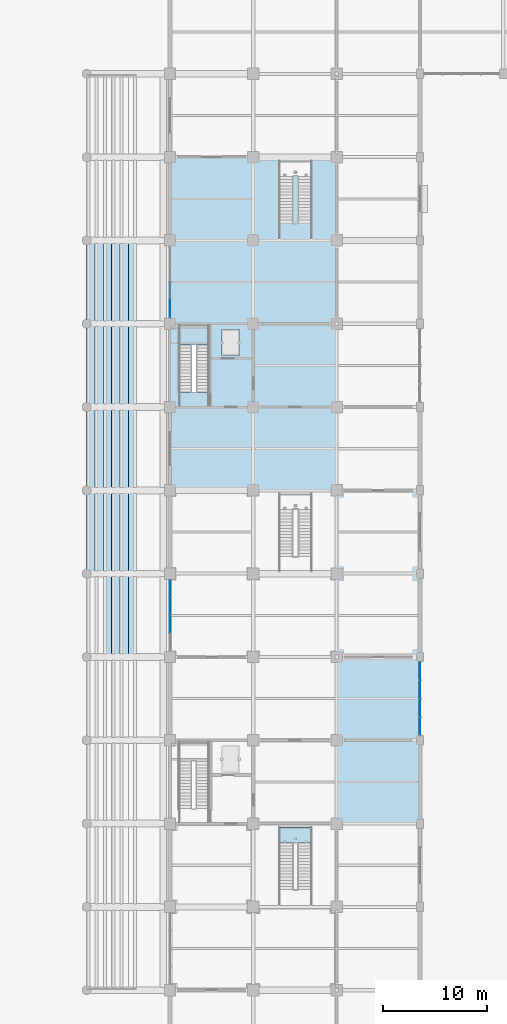
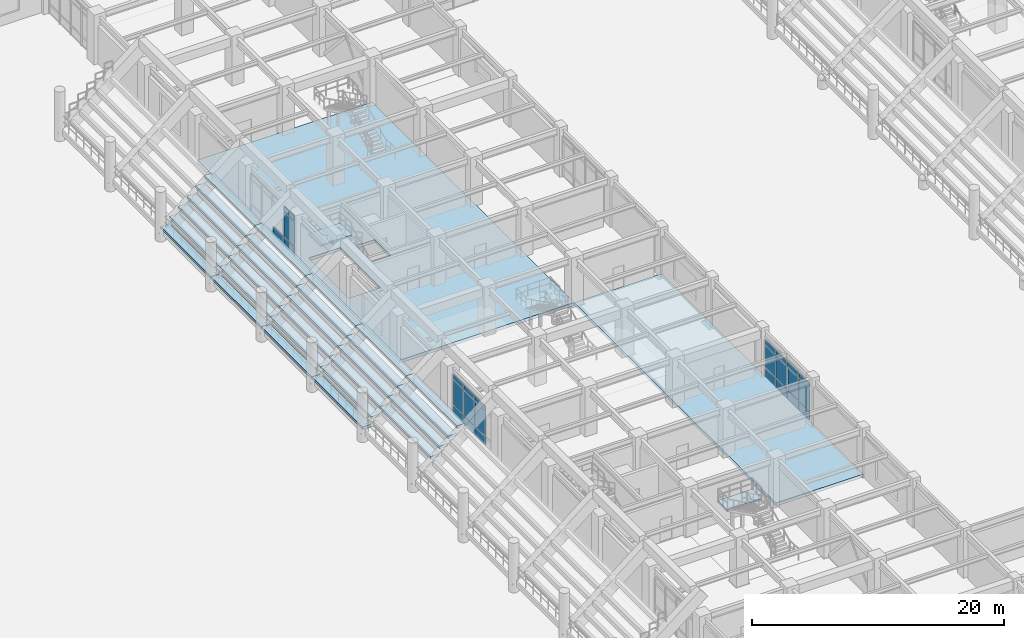
# One storey, part 64 of 125: 32 slabs, 25 plates, 5 elements without a shape of their own.
"""IFC4 building model written with IfcOpenShell, lengths in metres."""

from ifc_helpers import new_model, si_unit, direction, frame, origin, origin_2d, place, context, subcontext, project, spatial, polyline, rectangle, outline, extrude, material, layer, layer_set, type_object, element, aggregate, save


model = new_model("IFC4")

# Units and contexts
model_context = context("Model", 3, precision=1e-05, world=origin(), true_north=direction((0.0, 1.0)))
body_context = subcontext(model_context, "Body", "Model", "MODEL_VIEW")
ifc_project = project(units=[si_unit("LENGTHUNIT", "METRE"), si_unit("AREAUNIT", "SQUARE_METRE"), si_unit("VOLUMEUNIT", "CUBIC_METRE"), si_unit("PLANEANGLEUNIT", "RADIAN"), si_unit("MASSUNIT", "GRAM", prefix="KILO")], contexts=[model_context])

# Site, building, storey
site_placement = place(None, origin())
site = spatial("IfcSite", under=ifc_project, at=site_placement, CompositionType="ELEMENT")
building_placement = place(site_placement, origin())
building = spatial("IfcBuilding", under=site, at=building_placement, Name="Haebicheon Civic Stadium", CompositionType="ELEMENT")
storey_placement = place(building_placement, origin())
storey = spatial("IfcBuildingStorey", under=building, at=storey_placement, Name="L01", CompositionType="ELEMENT", Elevation=0.0)

# Curtain wall, plates
ifc_material_1 = material(Name="Anodised aluminium and laminated glass", Category="aluminium")
ifc_layer_1 = layer(ifc_material_1, 0.179931640625, Name="Anodised aluminium and laminated glass")
ifc_layer_set_1 = layer_set([ifc_layer_1], Name="Anodised aluminium and laminated glass")
curtain_wall_type_1 = type_object("IfcCurtainWallType", Name="CW-6900x3910", PredefinedType="NOTDEFINED", material=ifc_layer_set_1)
curtain_wall_1_placement = place(storey_placement, origin())
curtain_wall_1 = element("IfcCurtainWall", 1, at=curtain_wall_1_placement, inside=storey, type_object=curtain_wall_type_1, material=ifc_layer_set_1, Name="L01 unitised curtain wall 014", PredefinedType="NOTDEFINED")
ifc_material_2 = material(Name="Double low-e laminated glass", Category="glass")
ifc_layer_2 = layer(ifc_material_2, 0.028076171875, Name="Double low-e laminated glass")
ifc_layer_set_2 = layer_set([ifc_layer_2], Name="Double low-e laminated glass")
plate_type_1 = type_object("IfcPlateType", Name="CWP-GLZ-28", PredefinedType="CURTAIN_PANEL", material=ifc_layer_set_2)
plate_1_placement = place(storey_placement, frame((144.0, 83.137939453125, 0.93994140625), z_axis=(0.0, 0.0, 1.0), x_axis=(0.0, 1.0, 0.0)))
plate_1 = element("IfcPlate", 2, at=plate_1_placement, type_object=plate_type_1, material=ifc_layer_set_2, Name="CW-L01-014 vision panel 2.2", PredefinedType="CURTAIN_PANEL", context=body_context, shape_type="SweptSolid", body=[
    extrude(rectangle(XDim=1.64501953125, YDim=0.028076171875, at=origin_2d()), origin(), (0.0, 0.0, 1.0), 2.3798828125),
])
plate_2_placement = place(storey_placement, frame((144.0, 84.862060546875, 0.93994140625), z_axis=(0.0, 0.0, 1.0), x_axis=(0.0, 1.0, 0.0)))
plate_2 = element("IfcPlate", 3, at=plate_2_placement, type_object=plate_type_1, material=ifc_layer_set_2, Name="CW-L01-014 vision panel 3.2", PredefinedType="CURTAIN_PANEL", context=body_context, shape_type="SweptSolid", body=[
    extrude(rectangle(XDim=1.64501953125, YDim=0.028076171875, at=origin_2d()), origin(), (0.0, 0.0, 1.0), 2.3798828125),
])
plate_3_placement = place(storey_placement, frame((144.0, 86.568115234375, 0.93994140625), z_axis=(0.0, 0.0, 1.0), x_axis=(0.0, 1.0, 0.0)))
plate_3 = element("IfcPlate", 4, at=plate_3_placement, type_object=plate_type_1, material=ifc_layer_set_2, Name="CW-L01-014 vision panel 4.2", PredefinedType="CURTAIN_PANEL", context=body_context, shape_type="SweptSolid", body=[
    extrude(rectangle(XDim=1.60498046875, YDim=0.028076171875, at=origin_2d()), origin(), (0.0, 0.0, 1.0), 2.3798828125),
])

# Curtain wall, plate
curtain_wall_2_placement = place(storey_placement, origin())
curtain_wall_2 = element("IfcCurtainWall", 5, at=curtain_wall_2_placement, inside=storey, type_object=curtain_wall_type_1, material=ifc_layer_set_1, Name="L01 unitised curtain wall 015", PredefinedType="NOTDEFINED")
plate_4_placement = place(storey_placement, frame((144.0, 113.431884765625, 0.93994140625), z_axis=(0.0, 0.0, 1.0), x_axis=(0.0, 1.0, 0.0)))
plate_4 = element("IfcPlate", 6, at=plate_4_placement, type_object=plate_type_1, material=ifc_layer_set_2, Name="CW-L01-015 vision panel 1.2", PredefinedType="CURTAIN_PANEL", context=body_context, shape_type="SweptSolid", body=[
    extrude(rectangle(XDim=1.60498046875, YDim=0.028076171875, at=origin_2d()), origin(), (0.0, 0.0, 1.0), 2.3798828125),
])

# Curtain wall, plates
ifc_material_3 = material(Name="Anodised aluminium and laminated glass", Category="aluminium")
ifc_layer_3 = layer(ifc_material_3, 0.179931640625, Name="Anodised aluminium and laminated glass")
ifc_layer_set_3 = layer_set([ifc_layer_3], Name="Anodised aluminium and laminated glass")
curtain_wall_type_2 = type_object("IfcCurtainWallType", Name="CW-7100x3660", PredefinedType="NOTDEFINED", material=ifc_layer_set_3)
curtain_wall_3_placement = place(storey_placement, origin())
curtain_wall_3 = element("IfcCurtainWall", 7, at=curtain_wall_3_placement, inside=storey, type_object=curtain_wall_type_2, material=ifc_layer_set_3, Name="L01 unitised curtain wall 018", PredefinedType="NOTDEFINED")
plate_5_placement = place(storey_placement, frame((168.0, 73.35791015625, 0.93994140625), z_axis=(0.0, 0.0, 1.0), x_axis=(0.0, 1.0, 0.0)))
plate_5 = element("IfcPlate", 8, at=plate_5_placement, type_object=plate_type_1, material=ifc_layer_set_2, Name="CW-L01-018 vision panel 1.2", PredefinedType="CURTAIN_PANEL", context=body_context, shape_type="SweptSolid", body=[
    extrude(rectangle(XDim=1.655029296875, YDim=0.028076171875, at=origin_2d()), origin(), (0.0, 0.0, 1.0), 2.1298828125),
])
plate_6_placement = place(storey_placement, frame((168.0, 75.112060546875, 0.93994140625), z_axis=(0.0, 0.0, 1.0), x_axis=(0.0, 1.0, 0.0)))
plate_6 = element("IfcPlate", 9, at=plate_6_placement, type_object=plate_type_1, material=ifc_layer_set_2, Name="CW-L01-018 vision panel 2.2", PredefinedType="CURTAIN_PANEL", context=body_context, shape_type="SweptSolid", body=[
    extrude(rectangle(XDim=1.695068359375, YDim=0.028076171875, at=origin_2d()), origin(), (0.0, 0.0, 1.0), 2.1298828125),
])
plate_7_placement = place(storey_placement, frame((168.0, 76.887939453125, 0.93994140625), z_axis=(0.0, 0.0, 1.0), x_axis=(0.0, 1.0, 0.0)))
plate_7 = element("IfcPlate", 10, at=plate_7_placement, type_object=plate_type_1, material=ifc_layer_set_2, Name="CW-L01-018 vision panel 3.2", PredefinedType="CURTAIN_PANEL", context=body_context, shape_type="SweptSolid", body=[
    extrude(rectangle(XDim=1.695068359375, YDim=0.028076171875, at=origin_2d()), origin(), (0.0, 0.0, 1.0), 2.1298828125),
])
plate_8_placement = place(storey_placement, frame((168.0, 78.64208984375, 0.93994140625), z_axis=(0.0, 0.0, 1.0), x_axis=(0.0, 1.0, 0.0)))
plate_8 = element("IfcPlate", 11, at=plate_8_placement, type_object=plate_type_1, material=ifc_layer_set_2, Name="CW-L01-018 vision panel 4.2", PredefinedType="CURTAIN_PANEL", context=body_context, shape_type="SweptSolid", body=[
    extrude(rectangle(XDim=1.655029296875, YDim=0.028076171875, at=origin_2d()), origin(), (0.0, 0.0, 1.0), 2.1298828125),
])

# Plate
ifc_material_4 = material(Name="Anodised aluminium 6063-T6", Category="aluminium")
ifc_layer_4 = layer(ifc_material_4, 0.0439453125, Name="Anodised aluminium 6063-T6")
ifc_layer_set_4 = layer_set([ifc_layer_4], Name="Anodised aluminium 6063-T6")
plate_type_2 = type_object("IfcPlateType", Name="CWP-SPD-44", PredefinedType="CURTAIN_PANEL", material=ifc_layer_set_4)
plate_9_placement = place(storey_placement, frame((144.0, 83.137939453125, 0.0400390625), z_axis=(0.0, 0.0, 1.0), x_axis=(0.0, 1.0, 0.0)))
plate_9 = element("IfcPlate", 12, at=plate_9_placement, type_object=plate_type_2, material=ifc_layer_set_4, Name="CW-L01-014 spandrel panel 2.1", PredefinedType="CURTAIN_PANEL", context=body_context, shape_type="SweptSolid", body=[
    extrude(rectangle(XDim=1.64501953125, YDim=0.0439453125, at=origin_2d()), origin(), (0.0, 0.0, 1.0), 0.820068359375),
])

plate_10_placement = place(storey_placement, frame((144.0, 83.137939453125, 3.39990234375), z_axis=(0.0, 0.0, 1.0), x_axis=(0.0, 1.0, 0.0)))
plate_10 = element("IfcPlate", 13, at=plate_10_placement, type_object=plate_type_2, material=ifc_layer_set_4, Name="CW-L01-014 spandrel panel 2.3", PredefinedType="CURTAIN_PANEL", context=body_context, shape_type="SweptSolid", body=[
    extrude(rectangle(XDim=1.64501953125, YDim=0.0439453125, at=origin_2d()), origin(), (0.0, 0.0, 1.0), 0.469970703125),
])

plate_11_placement = place(storey_placement, frame((144.0, 84.862060546875, 0.0400390625), z_axis=(0.0, 0.0, 1.0), x_axis=(0.0, 1.0, 0.0)))
plate_11 = element("IfcPlate", 14, at=plate_11_placement, type_object=plate_type_2, material=ifc_layer_set_4, Name="CW-L01-014 spandrel panel 3.1", PredefinedType="CURTAIN_PANEL", context=body_context, shape_type="SweptSolid", body=[
    extrude(rectangle(XDim=1.64501953125, YDim=0.0439453125, at=origin_2d()), origin(), (0.0, 0.0, 1.0), 0.820068359375),
])

plate_12_placement = place(storey_placement, frame((144.0, 84.862060546875, 3.39990234375), z_axis=(0.0, 0.0, 1.0), x_axis=(0.0, 1.0, 0.0)))
plate_12 = element("IfcPlate", 15, at=plate_12_placement, type_object=plate_type_2, material=ifc_layer_set_4, Name="CW-L01-014 spandrel panel 3.3", PredefinedType="CURTAIN_PANEL", context=body_context, shape_type="SweptSolid", body=[
    extrude(rectangle(XDim=1.64501953125, YDim=0.0439453125, at=origin_2d()), origin(), (0.0, 0.0, 1.0), 0.469970703125),
])

plate_13_placement = place(storey_placement, frame((144.0, 86.568115234375, 0.0400390625), z_axis=(0.0, 0.0, 1.0), x_axis=(0.0, 1.0, 0.0)))
plate_13 = element("IfcPlate", 16, at=plate_13_placement, type_object=plate_type_2, material=ifc_layer_set_4, Name="CW-L01-014 spandrel panel 4.1", PredefinedType="CURTAIN_PANEL", context=body_context, shape_type="SweptSolid", body=[
    extrude(rectangle(XDim=1.60498046875, YDim=0.0439453125, at=origin_2d()), origin(), (0.0, 0.0, 1.0), 0.820068359375),
])

plate_14_placement = place(storey_placement, frame((144.0, 86.568115234375, 3.39990234375), z_axis=(0.0, 0.0, 1.0), x_axis=(0.0, 1.0, 0.0)))
plate_14 = element("IfcPlate", 17, at=plate_14_placement, type_object=plate_type_2, material=ifc_layer_set_4, Name="CW-L01-014 spandrel panel 4.3", PredefinedType="CURTAIN_PANEL", context=body_context, shape_type="SweptSolid", body=[
    extrude(rectangle(XDim=1.60498046875, YDim=0.0439453125, at=origin_2d()), origin(), (0.0, 0.0, 1.0), 0.469970703125),
])

aggregate(curtain_wall_1, [plate_9, plate_1, plate_10, plate_11, plate_2, plate_12, plate_13, plate_3, plate_14])

plate_15_placement = place(storey_placement, frame((144.0, 113.431884765625, 0.0400390625), z_axis=(0.0, 0.0, 1.0), x_axis=(0.0, 1.0, 0.0)))
plate_15 = element("IfcPlate", 18, at=plate_15_placement, type_object=plate_type_2, material=ifc_layer_set_4, Name="CW-L01-015 spandrel panel 1.1", PredefinedType="CURTAIN_PANEL", context=body_context, shape_type="SweptSolid", body=[
    extrude(rectangle(XDim=1.60498046875, YDim=0.0439453125, at=origin_2d()), origin(), (0.0, 0.0, 1.0), 0.820068359375),
])

plate_16_placement = place(storey_placement, frame((144.0, 113.431884765625, 3.39990234375), z_axis=(0.0, 0.0, 1.0), x_axis=(0.0, 1.0, 0.0)))
plate_16 = element("IfcPlate", 19, at=plate_16_placement, type_object=plate_type_2, material=ifc_layer_set_4, Name="CW-L01-015 spandrel panel 1.3", PredefinedType="CURTAIN_PANEL", context=body_context, shape_type="SweptSolid", body=[
    extrude(rectangle(XDim=1.60498046875, YDim=0.0439453125, at=origin_2d()), origin(), (0.0, 0.0, 1.0), 0.469970703125),
])

plate_17_placement = place(storey_placement, frame((144.0, 115.137939453125, 0.0400390625), z_axis=(0.0, 0.0, 1.0), x_axis=(0.0, 1.0, 0.0)))
plate_17 = element("IfcPlate", 20, at=plate_17_placement, type_object=plate_type_2, material=ifc_layer_set_4, Name="CW-L01-015 spandrel panel 2.1", PredefinedType="CURTAIN_PANEL", context=body_context, shape_type="SweptSolid", body=[
    extrude(rectangle(XDim=1.64501953125, YDim=0.0439453125, at=origin_2d()), origin(), (0.0, 0.0, 1.0), 0.820068359375),
])

aggregate(curtain_wall_2, [plate_15, plate_4, plate_16, plate_17])

plate_18_placement = place(storey_placement, frame((168.0, 73.35791015625, 0.0400390625), z_axis=(0.0, 0.0, 1.0), x_axis=(0.0, 1.0, 0.0)))
plate_18 = element("IfcPlate", 21, at=plate_18_placement, type_object=plate_type_2, material=ifc_layer_set_4, Name="CW-L01-018 spandrel panel 1.1", PredefinedType="CURTAIN_PANEL", context=body_context, shape_type="SweptSolid", body=[
    extrude(rectangle(XDim=1.655029296875, YDim=0.0439453125, at=origin_2d()), origin(), (0.0, 0.0, 1.0), 0.820068359375),
])

plate_19_placement = place(storey_placement, frame((168.0, 73.35791015625, 3.14990234375), z_axis=(0.0, 0.0, 1.0), x_axis=(0.0, 1.0, 0.0)))
plate_19 = element("IfcPlate", 22, at=plate_19_placement, type_object=plate_type_2, material=ifc_layer_set_4, Name="CW-L01-018 spandrel panel 1.3", PredefinedType="CURTAIN_PANEL", context=body_context, shape_type="SweptSolid", body=[
    extrude(rectangle(XDim=1.655029296875, YDim=0.0439453125, at=origin_2d()), origin(), (0.0, 0.0, 1.0), 0.469970703125),
])

plate_20_placement = place(storey_placement, frame((168.0, 75.112060546875, 0.0400390625), z_axis=(0.0, 0.0, 1.0), x_axis=(0.0, 1.0, 0.0)))
plate_20 = element("IfcPlate", 23, at=plate_20_placement, type_object=plate_type_2, material=ifc_layer_set_4, Name="CW-L01-018 spandrel panel 2.1", PredefinedType="CURTAIN_PANEL", context=body_context, shape_type="SweptSolid", body=[
    extrude(rectangle(XDim=1.695068359375, YDim=0.0439453125, at=origin_2d()), origin(), (0.0, 0.0, 1.0), 0.820068359375),
])

plate_21_placement = place(storey_placement, frame((168.0, 75.112060546875, 3.14990234375), z_axis=(0.0, 0.0, 1.0), x_axis=(0.0, 1.0, 0.0)))
plate_21 = element("IfcPlate", 24, at=plate_21_placement, type_object=plate_type_2, material=ifc_layer_set_4, Name="CW-L01-018 spandrel panel 2.3", PredefinedType="CURTAIN_PANEL", context=body_context, shape_type="SweptSolid", body=[
    extrude(rectangle(XDim=1.695068359375, YDim=0.0439453125, at=origin_2d()), origin(), (0.0, 0.0, 1.0), 0.469970703125),
])

plate_22_placement = place(storey_placement, frame((168.0, 76.887939453125, 0.0400390625), z_axis=(0.0, 0.0, 1.0), x_axis=(0.0, 1.0, 0.0)))
plate_22 = element("IfcPlate", 25, at=plate_22_placement, type_object=plate_type_2, material=ifc_layer_set_4, Name="CW-L01-018 spandrel panel 3.1", PredefinedType="CURTAIN_PANEL", context=body_context, shape_type="SweptSolid", body=[
    extrude(rectangle(XDim=1.695068359375, YDim=0.0439453125, at=origin_2d()), origin(), (0.0, 0.0, 1.0), 0.820068359375),
])

plate_23_placement = place(storey_placement, frame((168.0, 76.887939453125, 3.14990234375), z_axis=(0.0, 0.0, 1.0), x_axis=(0.0, 1.0, 0.0)))
plate_23 = element("IfcPlate", 26, at=plate_23_placement, type_object=plate_type_2, material=ifc_layer_set_4, Name="CW-L01-018 spandrel panel 3.3", PredefinedType="CURTAIN_PANEL", context=body_context, shape_type="SweptSolid", body=[
    extrude(rectangle(XDim=1.695068359375, YDim=0.0439453125, at=origin_2d()), origin(), (0.0, 0.0, 1.0), 0.469970703125),
])

plate_24_placement = place(storey_placement, frame((168.0, 78.64208984375, 0.0400390625), z_axis=(0.0, 0.0, 1.0), x_axis=(0.0, 1.0, 0.0)))
plate_24 = element("IfcPlate", 27, at=plate_24_placement, type_object=plate_type_2, material=ifc_layer_set_4, Name="CW-L01-018 spandrel panel 4.1", PredefinedType="CURTAIN_PANEL", context=body_context, shape_type="SweptSolid", body=[
    extrude(rectangle(XDim=1.655029296875, YDim=0.0439453125, at=origin_2d()), origin(), (0.0, 0.0, 1.0), 0.820068359375),
])

plate_25_placement = place(storey_placement, frame((168.0, 78.64208984375, 3.14990234375), z_axis=(0.0, 0.0, 1.0), x_axis=(0.0, 1.0, 0.0)))
plate_25 = element("IfcPlate", 28, at=plate_25_placement, type_object=plate_type_2, material=ifc_layer_set_4, Name="CW-L01-018 spandrel panel 4.3", PredefinedType="CURTAIN_PANEL", context=body_context, shape_type="SweptSolid", body=[
    extrude(rectangle(XDim=1.655029296875, YDim=0.0439453125, at=origin_2d()), origin(), (0.0, 0.0, 1.0), 0.469970703125),
])

aggregate(curtain_wall_3, [plate_18, plate_5, plate_19, plate_20, plate_6, plate_21, plate_22, plate_7, plate_23, plate_24, plate_8, plate_25])

# Slabs
ifc_material_5 = material(Name="Concrete C40/50", Category="concrete")
ifc_layer_5 = layer(ifc_material_5, 0.300048828125, Name="Concrete C40/50")
ifc_layer_set_5 = layer_set([ifc_layer_5], Name="Concrete C40/50")
slab_type_1 = type_object("IfcSlabType", Name="SLB-FLR-300", PredefinedType="FLOOR", material=ifc_layer_set_5)
slab_1_placement = place(storey_placement, frame((0.0, 0.0, -0.300048828125)))
element("IfcSlab", 29, at=slab_1_placement, inside=storey, type_object=slab_type_1, material=ifc_layer_set_5, Name="L01 V2 structural slab 10.1", PredefinedType="FLOOR", context=body_context, shape_type="SweptSolid", body=[
    extrude(outline(polyline([(144.0, 112.0), (144.0, 120.0), (144.0, 128.0), (152.0, 128.0), (160.0, 128.0), (160.0, 120.0), (160.0, 112.0), (160.0, 104.0), (160.0, 96.0), (152.0, 96.0), (144.0, 96.0), (144.0, 104.0), (144.0, 112.0)]), holes=[polyline([(144.840087890625, 105.4599609375), (147.739990234375, 105.4599609375), (147.739990234375, 111.840087890625), (144.840087890625, 111.840087890625), (144.840087890625, 105.4599609375)]), polyline([(148.969970703125, 108.929931640625), (150.669921875, 108.929931640625), (150.669921875, 111.429931640625), (148.969970703125, 111.429931640625), (148.969970703125, 108.929931640625)])]), origin(), (0.0, 0.0, 1.0), 0.300048828125),
])
slab_2_placement = place(storey_placement, frame((0.0, 0.0, -0.300048828125)))
element("IfcSlab", 30, at=slab_2_placement, inside=storey, type_object=slab_type_1, material=ifc_layer_set_5, Name="L01 V4 structural slab 6.1", PredefinedType="FLOOR", context=body_context, shape_type="SweptSolid", body=[
    extrude(outline(polyline([(160.0, 64.0), (160.0, 72.0), (160.0, 80.0), (160.0, 88.0), (160.0, 96.0), (168.0, 96.0), (168.0, 88.0), (168.0, 80.0), (168.0, 72.0), (168.0, 64.0), (160.0, 64.0)])), origin(), (0.0, 0.0, 1.0), 0.300048828125),
])

# Stair, slab
ifc_material_6 = material(Name="Concrete C40/50", Category="concrete")
stair_type_1 = type_object("IfcStairType", Name="STR-DL-W126-H48", PredefinedType="HALF_TURN_STAIR", material=ifc_material_6)
stair_1_placement = place(storey_placement, origin())
stair_1 = element("IfcStair", 31, at=stair_1_placement, inside=storey, type_object=stair_type_1, material=ifc_material_6, Name="L01 Escape stair ST-11", PredefinedType="HALF_TURN_STAIR")
ifc_material_7 = material(Name="Concrete C40/50", Category="concrete")
ifc_layer_6 = layer(ifc_material_7, 0.199951171875, Name="Concrete C40/50")
ifc_layer_set_6 = layer_set([ifc_layer_6], Name="Concrete C40/50")
slab_type_2 = type_object("IfcSlabType", Name="SLB-LND-200", PredefinedType="LANDING", material=ifc_layer_set_6)
slab_3_placement = place(storey_placement, frame((0.0, 0.0, 2.199951171875)))
slab_3 = element("IfcSlab", 32, at=slab_3_placement, type_object=slab_type_2, material=ifc_layer_set_6, Name="ST-11 landing 1", PredefinedType="LANDING", context=body_context, shape_type="SweptSolid", body=[
    extrude(outline(polyline([(147.739990234375, 109.949951171875), (147.739990234375, 111.840087890625), (144.840087890625, 111.840087890625), (144.840087890625, 109.949951171875), (147.739990234375, 109.949951171875)])), origin(), (0.0, 0.0, 1.0), 0.199951171875),
])
aggregate(stair_1, [slab_3])

ifc_material_8 = material(Name="Concrete C40/50", Category="concrete")
stair_type_2 = type_object("IfcStairType", Name="STR-DL-W140-H48", PredefinedType="HALF_TURN_STAIR", material=ifc_material_8)
stair_2_placement = place(storey_placement, origin())
stair_2 = element("IfcStair", 33, at=stair_2_placement, inside=storey, type_object=stair_type_2, material=ifc_material_8, Name="Vomitory stair VM-06 (L01)", PredefinedType="HALF_TURN_STAIR")
slab_4_placement = place(storey_placement, frame((0.0, 0.0, 2.199951171875)))
slab_4 = element("IfcSlab", 34, at=slab_4_placement, type_object=slab_type_2, material=ifc_layer_set_6, Name="VM-06 landing 1", PredefinedType="LANDING", context=body_context, shape_type="SweptSolid", body=[
    extrude(outline(polyline([(157.639892578125, 62.14990234375), (157.639892578125, 63.64990234375), (154.4599609375, 63.64990234375), (154.4599609375, 62.14990234375), (157.639892578125, 62.14990234375)])), origin(), (0.0, 0.0, 1.0), 0.199951171875),
])
aggregate(stair_2, [slab_4])

# Slabs
ifc_material_9 = material(Name="Precast concrete C40/50", Category="concrete")
ifc_layer_7 = layer(ifc_material_9, 0.239990234375, Name="Precast concrete C40/50")
ifc_layer_set_7 = layer_set([ifc_layer_7], Name="Precast concrete C40/50")
slab_type_3 = type_object("IfcSlabType", Name="SLB-TIER-240", PredefinedType="USERDEFINED", material=ifc_layer_set_7)
slab_5_placement = place(storey_placement, frame((0.0, 0.0, 2.382080078125)))
element("IfcSlab", 35, at=slab_5_placement, inside=storey, type_object=slab_type_3, material=ifc_layer_set_7, Name="TIER-E-L precast seating tier bay 5 row-band 3", ObjectType="SEATING TIER", PredefinedType="USERDEFINED", context=body_context, shape_type="SweptSolid", body=[
    extrude(outline(polyline([(137.60009765625, 80.0), (138.39990234375, 80.0), (138.39990234375, 88.0), (137.60009765625, 88.0), (137.60009765625, 80.0)])), origin(), (0.0, 0.0, 1.0), 0.239990234375),
])
slab_6_placement = place(storey_placement, frame((0.0, 0.0, 3.093017578125)))
element("IfcSlab", 36, at=slab_6_placement, inside=storey, type_object=slab_type_3, material=ifc_layer_set_7, Name="TIER-E-L precast seating tier bay 5 row-band 4", ObjectType="SEATING TIER", PredefinedType="USERDEFINED", context=body_context, shape_type="SweptSolid", body=[
    extrude(outline(polyline([(138.39990234375, 80.0), (139.199951171875, 80.0), (139.199951171875, 88.0), (138.39990234375, 88.0), (138.39990234375, 80.0)])), origin(), (0.0, 0.0, 1.0), 0.239990234375),
])
slab_7_placement = place(storey_placement, frame((0.0, 0.0, 3.803955078125)))
element("IfcSlab", 37, at=slab_7_placement, inside=storey, type_object=slab_type_3, material=ifc_layer_set_7, Name="TIER-E-L precast seating tier bay 5 row-band 5", ObjectType="SEATING TIER", PredefinedType="USERDEFINED", context=body_context, shape_type="SweptSolid", body=[
    extrude(outline(polyline([(139.199951171875, 80.0), (140.0, 80.0), (140.0, 88.0), (139.199951171875, 88.0), (139.199951171875, 80.0)])), origin(), (0.0, 0.0, 1.0), 0.239990234375),
])
slab_8_placement = place(storey_placement, frame((0.0, 0.0, 4.51611328125)))
element("IfcSlab", 38, at=slab_8_placement, inside=storey, type_object=slab_type_3, material=ifc_layer_set_7, Name="TIER-E-L precast seating tier bay 5 row-band 6", ObjectType="SEATING TIER", PredefinedType="USERDEFINED", context=body_context, shape_type="SweptSolid", body=[
    extrude(outline(polyline([(140.0, 80.0), (140.800048828125, 80.0), (140.800048828125, 88.0), (140.0, 88.0), (140.0, 80.0)])), origin(), (0.0, 0.0, 1.0), 0.239990234375),
])
slab_9_placement = place(storey_placement, frame((0.0, 0.0, 0.9599609375)))
element("IfcSlab", 39, at=slab_9_placement, inside=storey, type_object=slab_type_3, material=ifc_layer_set_7, Name="TIER-E-L precast seating tier bay 6 row-band 1", ObjectType="SEATING TIER", PredefinedType="USERDEFINED", context=body_context, shape_type="SweptSolid", body=[
    extrude(outline(polyline([(136.0, 88.0), (136.800048828125, 88.0), (136.800048828125, 96.0), (136.0, 96.0), (136.0, 88.0)])), origin(), (0.0, 0.0, 1.0), 0.239990234375),
])
slab_10_placement = place(storey_placement, frame((0.0, 0.0, 1.6708984375)))
element("IfcSlab", 40, at=slab_10_placement, inside=storey, type_object=slab_type_3, material=ifc_layer_set_7, Name="TIER-E-L precast seating tier bay 6 row-band 2", ObjectType="SEATING TIER", PredefinedType="USERDEFINED", context=body_context, shape_type="SweptSolid", body=[
    extrude(outline(polyline([(136.800048828125, 88.0), (137.60009765625, 88.0), (137.60009765625, 96.0), (136.800048828125, 96.0), (136.800048828125, 88.0)])), origin(), (0.0, 0.0, 1.0), 0.239990234375),
])
slab_11_placement = place(storey_placement, frame((0.0, 0.0, 2.382080078125)))
element("IfcSlab", 41, at=slab_11_placement, inside=storey, type_object=slab_type_3, material=ifc_layer_set_7, Name="TIER-E-L precast seating tier bay 6 row-band 3", ObjectType="SEATING TIER", PredefinedType="USERDEFINED", context=body_context, shape_type="SweptSolid", body=[
    extrude(outline(polyline([(137.60009765625, 88.0), (138.39990234375, 88.0), (138.39990234375, 96.0), (137.60009765625, 96.0), (137.60009765625, 88.0)])), origin(), (0.0, 0.0, 1.0), 0.239990234375),
])
slab_12_placement = place(storey_placement, frame((0.0, 0.0, 3.093017578125)))
element("IfcSlab", 42, at=slab_12_placement, inside=storey, type_object=slab_type_3, material=ifc_layer_set_7, Name="TIER-E-L precast seating tier bay 6 row-band 4", ObjectType="SEATING TIER", PredefinedType="USERDEFINED", context=body_context, shape_type="SweptSolid", body=[
    extrude(outline(polyline([(138.39990234375, 88.0), (139.199951171875, 88.0), (139.199951171875, 96.0), (138.39990234375, 96.0), (138.39990234375, 88.0)])), origin(), (0.0, 0.0, 1.0), 0.239990234375),
])
slab_13_placement = place(storey_placement, frame((0.0, 0.0, 3.803955078125)))
element("IfcSlab", 43, at=slab_13_placement, inside=storey, type_object=slab_type_3, material=ifc_layer_set_7, Name="TIER-E-L precast seating tier bay 6 row-band 5", ObjectType="SEATING TIER", PredefinedType="USERDEFINED", context=body_context, shape_type="SweptSolid", body=[
    extrude(outline(polyline([(139.199951171875, 88.0), (140.0, 88.0), (140.0, 96.0), (139.199951171875, 96.0), (139.199951171875, 88.0)])), origin(), (0.0, 0.0, 1.0), 0.239990234375),
])
slab_14_placement = place(storey_placement, frame((0.0, 0.0, 4.51611328125)))
element("IfcSlab", 44, at=slab_14_placement, inside=storey, type_object=slab_type_3, material=ifc_layer_set_7, Name="TIER-E-L precast seating tier bay 6 row-band 6", ObjectType="SEATING TIER", PredefinedType="USERDEFINED", context=body_context, shape_type="SweptSolid", body=[
    extrude(outline(polyline([(140.0, 88.0), (140.800048828125, 88.0), (140.800048828125, 96.0), (140.0, 96.0), (140.0, 88.0)])), origin(), (0.0, 0.0, 1.0), 0.239990234375),
])
slab_15_placement = place(storey_placement, frame((0.0, 0.0, 0.9599609375)))
element("IfcSlab", 45, at=slab_15_placement, inside=storey, type_object=slab_type_3, material=ifc_layer_set_7, Name="TIER-E-L precast seating tier bay 7 row-band 1", ObjectType="SEATING TIER", PredefinedType="USERDEFINED", context=body_context, shape_type="SweptSolid", body=[
    extrude(outline(polyline([(136.0, 96.0), (136.800048828125, 96.0), (136.800048828125, 104.0), (136.0, 104.0), (136.0, 96.0)])), origin(), (0.0, 0.0, 1.0), 0.239990234375),
])
slab_16_placement = place(storey_placement, frame((0.0, 0.0, 1.6708984375)))
element("IfcSlab", 46, at=slab_16_placement, inside=storey, type_object=slab_type_3, material=ifc_layer_set_7, Name="TIER-E-L precast seating tier bay 7 row-band 2", ObjectType="SEATING TIER", PredefinedType="USERDEFINED", context=body_context, shape_type="SweptSolid", body=[
    extrude(outline(polyline([(136.800048828125, 96.0), (137.60009765625, 96.0), (137.60009765625, 104.0), (136.800048828125, 104.0), (136.800048828125, 96.0)])), origin(), (0.0, 0.0, 1.0), 0.239990234375),
])
slab_17_placement = place(storey_placement, frame((0.0, 0.0, 2.382080078125)))
element("IfcSlab", 47, at=slab_17_placement, inside=storey, type_object=slab_type_3, material=ifc_layer_set_7, Name="TIER-E-L precast seating tier bay 7 row-band 3", ObjectType="SEATING TIER", PredefinedType="USERDEFINED", context=body_context, shape_type="SweptSolid", body=[
    extrude(outline(polyline([(137.60009765625, 96.0), (138.39990234375, 96.0), (138.39990234375, 104.0), (137.60009765625, 104.0), (137.60009765625, 96.0)])), origin(), (0.0, 0.0, 1.0), 0.239990234375),
])
slab_18_placement = place(storey_placement, frame((0.0, 0.0, 3.093017578125)))
element("IfcSlab", 48, at=slab_18_placement, inside=storey, type_object=slab_type_3, material=ifc_layer_set_7, Name="TIER-E-L precast seating tier bay 7 row-band 4", ObjectType="SEATING TIER", PredefinedType="USERDEFINED", context=body_context, shape_type="SweptSolid", body=[
    extrude(outline(polyline([(138.39990234375, 96.0), (139.199951171875, 96.0), (139.199951171875, 104.0), (138.39990234375, 104.0), (138.39990234375, 96.0)])), origin(), (0.0, 0.0, 1.0), 0.239990234375),
])
slab_19_placement = place(storey_placement, frame((0.0, 0.0, 3.803955078125)))
element("IfcSlab", 49, at=slab_19_placement, inside=storey, type_object=slab_type_3, material=ifc_layer_set_7, Name="TIER-E-L precast seating tier bay 7 row-band 5", ObjectType="SEATING TIER", PredefinedType="USERDEFINED", context=body_context, shape_type="SweptSolid", body=[
    extrude(outline(polyline([(139.199951171875, 96.0), (140.0, 96.0), (140.0, 104.0), (139.199951171875, 104.0), (139.199951171875, 96.0)])), origin(), (0.0, 0.0, 1.0), 0.239990234375),
])
slab_20_placement = place(storey_placement, frame((0.0, 0.0, 4.51611328125)))
element("IfcSlab", 50, at=slab_20_placement, inside=storey, type_object=slab_type_3, material=ifc_layer_set_7, Name="TIER-E-L precast seating tier bay 7 row-band 6", ObjectType="SEATING TIER", PredefinedType="USERDEFINED", context=body_context, shape_type="SweptSolid", body=[
    extrude(outline(polyline([(140.0, 96.0), (140.800048828125, 96.0), (140.800048828125, 104.0), (140.0, 104.0), (140.0, 96.0)])), origin(), (0.0, 0.0, 1.0), 0.239990234375),
])
slab_21_placement = place(storey_placement, frame((0.0, 0.0, 0.9599609375)))
element("IfcSlab", 51, at=slab_21_placement, inside=storey, type_object=slab_type_3, material=ifc_layer_set_7, Name="TIER-E-L precast seating tier bay 8 row-band 1", ObjectType="SEATING TIER", PredefinedType="USERDEFINED", context=body_context, shape_type="SweptSolid", body=[
    extrude(outline(polyline([(136.0, 104.0), (136.800048828125, 104.0), (136.800048828125, 112.0), (136.0, 112.0), (136.0, 104.0)])), origin(), (0.0, 0.0, 1.0), 0.239990234375),
])
slab_22_placement = place(storey_placement, frame((0.0, 0.0, 1.6708984375)))
element("IfcSlab", 52, at=slab_22_placement, inside=storey, type_object=slab_type_3, material=ifc_layer_set_7, Name="TIER-E-L precast seating tier bay 8 row-band 2", ObjectType="SEATING TIER", PredefinedType="USERDEFINED", context=body_context, shape_type="SweptSolid", body=[
    extrude(outline(polyline([(136.800048828125, 104.0), (137.60009765625, 104.0), (137.60009765625, 112.0), (136.800048828125, 112.0), (136.800048828125, 104.0)])), origin(), (0.0, 0.0, 1.0), 0.239990234375),
])
slab_23_placement = place(storey_placement, frame((0.0, 0.0, 2.382080078125)))
element("IfcSlab", 53, at=slab_23_placement, inside=storey, type_object=slab_type_3, material=ifc_layer_set_7, Name="TIER-E-L precast seating tier bay 8 row-band 3", ObjectType="SEATING TIER", PredefinedType="USERDEFINED", context=body_context, shape_type="SweptSolid", body=[
    extrude(outline(polyline([(137.60009765625, 104.0), (138.39990234375, 104.0), (138.39990234375, 112.0), (137.60009765625, 112.0), (137.60009765625, 104.0)])), origin(), (0.0, 0.0, 1.0), 0.239990234375),
])
slab_24_placement = place(storey_placement, frame((0.0, 0.0, 3.093017578125)))
element("IfcSlab", 54, at=slab_24_placement, inside=storey, type_object=slab_type_3, material=ifc_layer_set_7, Name="TIER-E-L precast seating tier bay 8 row-band 4", ObjectType="SEATING TIER", PredefinedType="USERDEFINED", context=body_context, shape_type="SweptSolid", body=[
    extrude(outline(polyline([(138.39990234375, 104.0), (139.199951171875, 104.0), (139.199951171875, 112.0), (138.39990234375, 112.0), (138.39990234375, 104.0)])), origin(), (0.0, 0.0, 1.0), 0.239990234375),
])
slab_25_placement = place(storey_placement, frame((0.0, 0.0, 3.803955078125)))
element("IfcSlab", 55, at=slab_25_placement, inside=storey, type_object=slab_type_3, material=ifc_layer_set_7, Name="TIER-E-L precast seating tier bay 8 row-band 5", ObjectType="SEATING TIER", PredefinedType="USERDEFINED", context=body_context, shape_type="SweptSolid", body=[
    extrude(outline(polyline([(139.199951171875, 104.0), (140.0, 104.0), (140.0, 112.0), (139.199951171875, 112.0), (139.199951171875, 104.0)])), origin(), (0.0, 0.0, 1.0), 0.239990234375),
])
slab_26_placement = place(storey_placement, frame((0.0, 0.0, 4.51611328125)))
element("IfcSlab", 56, at=slab_26_placement, inside=storey, type_object=slab_type_3, material=ifc_layer_set_7, Name="TIER-E-L precast seating tier bay 8 row-band 6", ObjectType="SEATING TIER", PredefinedType="USERDEFINED", context=body_context, shape_type="SweptSolid", body=[
    extrude(outline(polyline([(140.0, 104.0), (140.800048828125, 104.0), (140.800048828125, 112.0), (140.0, 112.0), (140.0, 104.0)])), origin(), (0.0, 0.0, 1.0), 0.239990234375),
])
slab_27_placement = place(storey_placement, frame((0.0, 0.0, 0.9599609375)))
element("IfcSlab", 57, at=slab_27_placement, inside=storey, type_object=slab_type_3, material=ifc_layer_set_7, Name="TIER-E-L precast seating tier bay 9 row-band 1", ObjectType="SEATING TIER", PredefinedType="USERDEFINED", context=body_context, shape_type="SweptSolid", body=[
    extrude(outline(polyline([(136.0, 112.0), (136.800048828125, 112.0), (136.800048828125, 120.0), (136.0, 120.0), (136.0, 112.0)])), origin(), (0.0, 0.0, 1.0), 0.239990234375),
])
slab_28_placement = place(storey_placement, frame((0.0, 0.0, 1.6708984375)))
element("IfcSlab", 58, at=slab_28_placement, inside=storey, type_object=slab_type_3, material=ifc_layer_set_7, Name="TIER-E-L precast seating tier bay 9 row-band 2", ObjectType="SEATING TIER", PredefinedType="USERDEFINED", context=body_context, shape_type="SweptSolid", body=[
    extrude(outline(polyline([(136.800048828125, 112.0), (137.60009765625, 112.0), (137.60009765625, 120.0), (136.800048828125, 120.0), (136.800048828125, 112.0)])), origin(), (0.0, 0.0, 1.0), 0.239990234375),
])
slab_29_placement = place(storey_placement, frame((0.0, 0.0, 2.382080078125)))
element("IfcSlab", 59, at=slab_29_placement, inside=storey, type_object=slab_type_3, material=ifc_layer_set_7, Name="TIER-E-L precast seating tier bay 9 row-band 3", ObjectType="SEATING TIER", PredefinedType="USERDEFINED", context=body_context, shape_type="SweptSolid", body=[
    extrude(outline(polyline([(137.60009765625, 112.0), (138.39990234375, 112.0), (138.39990234375, 120.0), (137.60009765625, 120.0), (137.60009765625, 112.0)])), origin(), (0.0, 0.0, 1.0), 0.239990234375),
])
slab_30_placement = place(storey_placement, frame((0.0, 0.0, 3.093017578125)))
element("IfcSlab", 60, at=slab_30_placement, inside=storey, type_object=slab_type_3, material=ifc_layer_set_7, Name="TIER-E-L precast seating tier bay 9 row-band 4", ObjectType="SEATING TIER", PredefinedType="USERDEFINED", context=body_context, shape_type="SweptSolid", body=[
    extrude(outline(polyline([(138.39990234375, 112.0), (139.199951171875, 112.0), (139.199951171875, 120.0), (138.39990234375, 120.0), (138.39990234375, 112.0)])), origin(), (0.0, 0.0, 1.0), 0.239990234375),
])
slab_31_placement = place(storey_placement, frame((0.0, 0.0, 3.803955078125)))
element("IfcSlab", 61, at=slab_31_placement, inside=storey, type_object=slab_type_3, material=ifc_layer_set_7, Name="TIER-E-L precast seating tier bay 9 row-band 5", ObjectType="SEATING TIER", PredefinedType="USERDEFINED", context=body_context, shape_type="SweptSolid", body=[
    extrude(outline(polyline([(139.199951171875, 112.0), (140.0, 112.0), (140.0, 120.0), (139.199951171875, 120.0), (139.199951171875, 112.0)])), origin(), (0.0, 0.0, 1.0), 0.239990234375),
])
slab_32_placement = place(storey_placement, frame((0.0, 0.0, 4.51611328125)))
element("IfcSlab", 62, at=slab_32_placement, inside=storey, type_object=slab_type_3, material=ifc_layer_set_7, Name="TIER-E-L precast seating tier bay 9 row-band 6", ObjectType="SEATING TIER", PredefinedType="USERDEFINED", context=body_context, shape_type="SweptSolid", body=[
    extrude(outline(polyline([(140.0, 112.0), (140.800048828125, 112.0), (140.800048828125, 120.0), (140.0, 120.0), (140.0, 112.0)])), origin(), (0.0, 0.0, 1.0), 0.239990234375),
])

save(model, "model.ifc")
